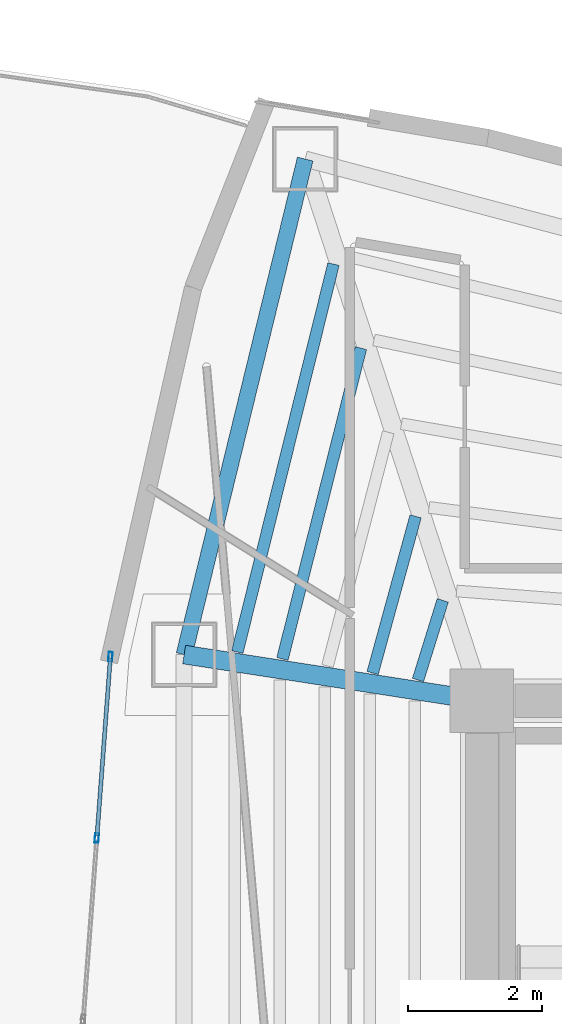
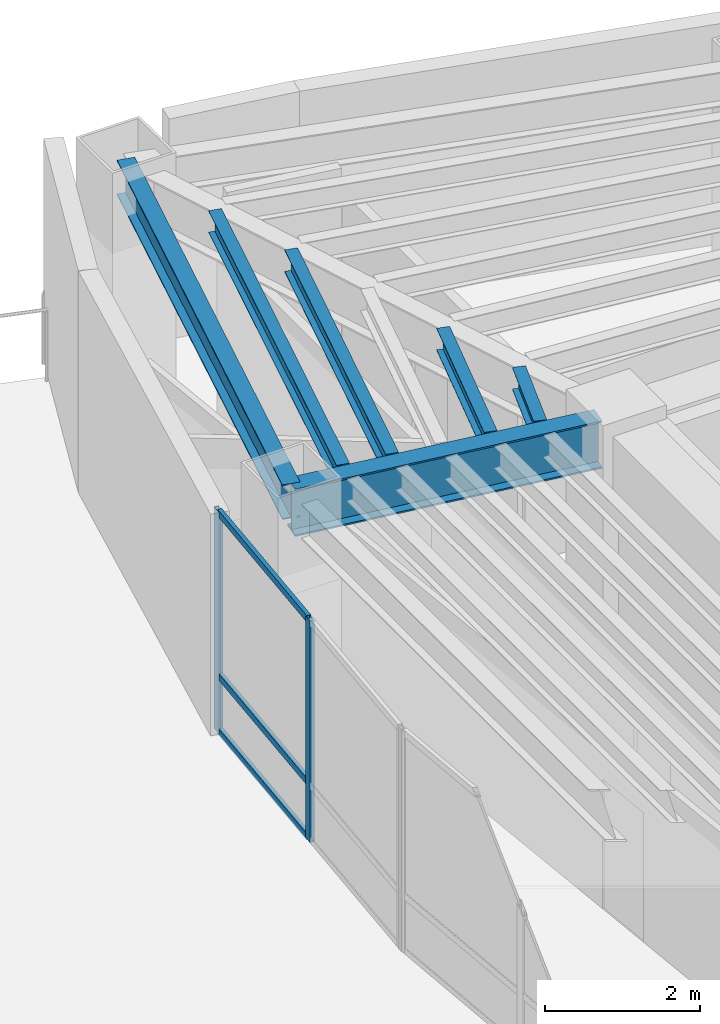
# One storey, part 6 of 17: 6 beams, 5 members, 1 element without a shape of its own.
"""IFC4 building model written with IfcOpenShell, lengths in metres."""

from ifc_helpers import new_model, si_unit, direction, frame, origin, origin_2d, place, context, subcontext, project, spatial, hollow_rectangle, i_section, extrude, material, layer, layer_set, material_profile, profile_set, type_object, element, aggregate, save


model = new_model("IFC4")

# Units and contexts
model_context = context("Model", 3, precision=1e-05, world=origin(), true_north=direction((0.0, 1.0)))
body_context = subcontext(model_context, "Body", "Model", "MODEL_VIEW")
ifc_project = project(units=[si_unit("LENGTHUNIT", "METRE"), si_unit("AREAUNIT", "SQUARE_METRE"), si_unit("VOLUMEUNIT", "CUBIC_METRE"), si_unit("PLANEANGLEUNIT", "RADIAN"), si_unit("MASSUNIT", "GRAM", prefix="KILO")], contexts=[model_context])

# Site, building, storey
site_placement = place(None, origin())
site = spatial("IfcSite", under=ifc_project, at=site_placement, CompositionType="ELEMENT")
building_placement = place(site_placement, origin())
building = spatial("IfcBuilding", under=site, at=building_placement, Name="Menara Vayukalpa", CompositionType="ELEMENT")
storey_placement = place(building_placement, frame((0.0, 0.0, 206.39990234375)))
storey = spatial("IfcBuildingStorey", under=building, at=storey_placement, Name="L52", CompositionType="ELEMENT", Elevation=206.39990234375)

# Beams
ifc_material_1 = material(Name="Steel S355", Category="steel")
ifc_material_profile_1 = material_profile(ifc_material_1, i_section(OverallWidth=0.280029296875, OverallDepth=0.75, WebThickness=0.013916015625, FlangeThickness=0.02490234375, at=origin_2d()), Name="WF 750x280x14x25")
ifc_profile_set_1 = profile_set([ifc_material_profile_1], Name="Steel S355")
beam_type_1 = type_object("IfcBeamType", Name="BM-PG4", PredefinedType="BEAM", material=ifc_profile_set_1)
beam_1_placement = place(storey_placement, frame((17.552978515625, 26.838134765625, 3.125), z_axis=(-0.988244781219, 0.152879862617, 0.0), x_axis=(-0.152879862617, -0.988244781219, 0.0)))
element("IfcBeam", 1, at=beam_1_placement, inside=storey, type_object=beam_type_1, Name="L52 Primary Radial Girder RG05", PredefinedType="BEAM", context=body_context, shape_type="SweptSolid", body=[
    extrude(i_section(OverallWidth=0.280029296875, OverallDepth=0.75, WebThickness=0.013916015625, FlangeThickness=0.02490234375, at=origin_2d()), origin(), (0.0, 0.0, 1.0), 4.259033203125),
])
ifc_material_2 = material(Name="Steel S355", Category="steel")
ifc_material_profile_2 = material_profile(ifc_material_2, i_section(OverallWidth=0.175048828125, OverallDepth=0.35009765625, WebThickness=0.007080078125, FlangeThickness=0.010986328125, at=origin_2d()), Name="WF 350x175x7x11")
ifc_profile_set_2 = profile_set([ifc_material_profile_2], Name="Steel S355")
beam_type_2 = type_object("IfcBeamType", Name="BM-SJ3", PredefinedType="JOIST", material=ifc_profile_set_2)
beam_2_placement = place(storey_placement, frame((17.212890625, 28.300537109375, 3.3251953125), z_axis=(-0.296448419226, -0.955048865105, 0.0), x_axis=(0.955048865105, -0.296448419226, 0.0)))
element("IfcBeam", 2, at=beam_2_placement, inside=storey, type_object=beam_type_2, Name="L52 Secondary Floor Joist SJ04-1", PredefinedType="JOIST", context=body_context, shape_type="SweptSolid", body=[
    extrude(i_section(OverallWidth=0.175048828125, OverallDepth=0.35009765625, WebThickness=0.007080078125, FlangeThickness=0.010986328125, at=origin_2d()), origin(), (0.0, 0.0, 1.0), 1.24853515625),
])
beam_3_placement = place(storey_placement, frame((16.80712890625, 29.5576171875, 3.3251953125), z_axis=(-0.264502665082, -0.964384954344, 0.0), x_axis=(0.964384954344, -0.264502665082, 0.0)))
element("IfcBeam", 3, at=beam_3_placement, inside=storey, type_object=beam_type_2, Name="L52 Secondary Floor Joist SJ04-2", PredefinedType="JOIST", context=body_context, shape_type="SweptSolid", body=[
    extrude(i_section(OverallWidth=0.175048828125, OverallDepth=0.35009765625, WebThickness=0.007080078125, FlangeThickness=0.010986328125, at=origin_2d()), origin(), (0.0, 0.0, 1.0), 2.430419921875),
])
beam_4_placement = place(storey_placement, frame((15.988525390625, 32.073486328125, 3.3251953125), z_axis=(-0.24483447751, -0.969564891393, 0.0), x_axis=(0.969564891393, -0.24483447751, 0.0)))
element("IfcBeam", 4, at=beam_4_placement, inside=storey, type_object=beam_type_2, Name="L52 Secondary Floor Joist SJ04-4", PredefinedType="JOIST", context=body_context, shape_type="SweptSolid", body=[
    extrude(i_section(OverallWidth=0.175048828125, OverallDepth=0.35009765625, WebThickness=0.007080078125, FlangeThickness=0.010986328125, at=origin_2d()), origin(), (0.0, 0.0, 1.0), 4.79638671875),
])
beam_5_placement = place(storey_placement, frame((15.57861328125, 33.33154296875, 3.3251953125), z_axis=(-0.240556182956, -0.970635216156, 0.0), x_axis=(0.970635216156, -0.240556182956, 0.0)))
element("IfcBeam", 5, at=beam_5_placement, inside=storey, type_object=beam_type_2, Name="L52 Secondary Floor Joist SJ04-5", PredefinedType="JOIST", context=body_context, shape_type="SweptSolid", body=[
    extrude(i_section(OverallWidth=0.175048828125, OverallDepth=0.35009765625, WebThickness=0.007080078125, FlangeThickness=0.010986328125, at=origin_2d()), origin(), (0.0, 0.0, 1.0), 5.979736328125),
])
ifc_material_3 = material(Name="Steel S355", Category="steel")
ifc_material_profile_3 = material_profile(ifc_material_3, i_section(OverallWidth=0.239990234375, OverallDepth=0.550048828125, WebThickness=0.010986328125, FlangeThickness=0.01904296875, at=origin_2d()), Name="WF 550x240x11x19")
ifc_profile_set_3 = profile_set([ifc_material_profile_3], Name="Steel S355")
beam_type_3 = type_object("IfcBeamType", Name="BM-SP2", PredefinedType="SPANDREL", material=ifc_profile_set_3)
beam_6_placement = place(storey_placement, frame((15.15478515625, 34.902587890625, 3.22509765625), z_axis=(-0.237285374413, -0.971439988414, 0.0), x_axis=(0.971439988414, -0.237285374413, 0.0)))
element("IfcBeam", 6, at=beam_6_placement, inside=storey, type_object=beam_type_3, Name="L52 Perimeter Spandrel Beam SP04", PredefinedType="SPANDREL", context=body_context, shape_type="SweptSolid", body=[
    extrude(i_section(OverallWidth=0.239990234375, OverallDepth=0.550048828125, WebThickness=0.010986328125, FlangeThickness=0.01904296875, at=origin_2d()), origin(), (0.0, 0.0, 1.0), 7.63134765625),
])

# Curtain wall, members
ifc_material_4 = material(Name="Anodised Terracotta Aluminium Alloy 6063-T6", Category="masonry")
ifc_layer = layer(ifc_material_4, 0.139892578125)
ifc_layer_set = layer_set([ifc_layer], Name="Anodised Terracotta Aluminium Alloy 6063-T6")
curtain_wall_type = type_object("IfcCurtainWallType", Name="CW-CW5", PredefinedType="USERDEFINED", material=ifc_layer_set)
curtain_wall_placement = place(storey_placement, origin())
curtain_wall = element("IfcCurtainWall", 7, at=curtain_wall_placement, inside=storey, type_object=curtain_wall_type, Name="L52 High Rise Tapered Curtain Wall CW5 10", ObjectType="UNITISED", PredefinedType="USERDEFINED")
ifc_material_5 = material(Name="Anodised Terracotta Aluminium Alloy 6063-T6", Category="masonry")
ifc_material_profile_4 = material_profile(ifc_material_5, hollow_rectangle(XDim=0.06005859375, YDim=0.139892578125, WallThickness=0.00341796875, at=origin_2d()), Name="ALU 60x140x3.5")
ifc_profile_set_4 = profile_set([ifc_material_profile_4], Name="Anodised Terracotta Aluminium Alloy 6063-T6")
member_type_1 = type_object("IfcMemberType", Name="CWM-CW5", PredefinedType="MULLION", material=ifc_profile_set_4)
member_1_placement = place(storey_placement, frame((12.24169921875, 27.459228515625, 0.0), z_axis=(0.0, 0.0, 1.0), x_axis=(0.9971991744, -0.074791754736, 0.0)))
member_1 = element("IfcMember", 8, at=member_1_placement, type_object=member_type_1, Name="CW5 mullion 1", PredefinedType="MULLION", context=body_context, shape_type="SweptSolid", body=[
    extrude(hollow_rectangle(XDim=0.06005859375, YDim=0.139892578125, WallThickness=0.00341796875, at=origin_2d()), origin(), (0.0, 0.0, 1.0), 3.5),
])
member_2_placement = place(storey_placement, frame((12.0380859375, 24.74462890625, 0.0), z_axis=(0.0, 0.0, 1.0), x_axis=(0.9971991744, -0.074791754736, 0.0)))
member_2 = element("IfcMember", 9, at=member_2_placement, type_object=member_type_1, Name="CW5 mullion 2", PredefinedType="MULLION", context=body_context, shape_type="SweptSolid", body=[
    extrude(hollow_rectangle(XDim=0.06005859375, YDim=0.139892578125, WallThickness=0.00341796875, at=origin_2d()), origin(), (0.0, 0.0, 1.0), 3.5),
])
ifc_material_6 = material(Name="Anodised Terracotta Aluminium Alloy 6063-T6", Category="masonry")
ifc_material_profile_5 = material_profile(ifc_material_6, hollow_rectangle(XDim=0.06005859375, YDim=0.10498046875, WallThickness=0.0029296875, at=origin_2d()), Name="ALU 60x105x3")
ifc_profile_set_5 = profile_set([ifc_material_profile_5], Name="Anodised Terracotta Aluminium Alloy 6063-T6")
member_type_2 = type_object("IfcMemberType", Name="CWT-CW5", PredefinedType="USERDEFINED", material=ifc_profile_set_5)
member_3_placement = place(storey_placement, frame((12.239501953125, 27.429443359375, 0.030029296875), z_axis=(-0.074824141952, -0.997196744771, 0.0), x_axis=(0.997196744771, -0.074824141952, 0.0)))
member_3 = element("IfcMember", 10, at=member_3_placement, type_object=member_type_2, Name="CW5 transom 1.1", ObjectType="TRANSOM", PredefinedType="USERDEFINED", context=body_context, shape_type="SweptSolid", body=[
    extrude(hollow_rectangle(XDim=0.06005859375, YDim=0.10498046875, WallThickness=0.0029296875, at=origin_2d()), origin(), (0.0, 0.0, 1.0), 2.66259765625),
])
member_4_placement = place(storey_placement, frame((12.239501953125, 27.429443359375, 0.900146484375), z_axis=(-0.074824141952, -0.997196744771, 0.0), x_axis=(0.997196744771, -0.074824141952, 0.0)))
member_4 = element("IfcMember", 11, at=member_4_placement, type_object=member_type_2, Name="CW5 transom 1.2", ObjectType="TRANSOM", PredefinedType="USERDEFINED", context=body_context, shape_type="SweptSolid", body=[
    extrude(hollow_rectangle(XDim=0.06005859375, YDim=0.10498046875, WallThickness=0.0029296875, at=origin_2d()), origin(), (0.0, 0.0, 1.0), 2.66259765625),
])
member_5_placement = place(storey_placement, frame((12.239501953125, 27.429443359375, 3.47021484375), z_axis=(-0.074824141952, -0.997196744771, 0.0), x_axis=(0.997196744771, -0.074824141952, 0.0)))
member_5 = element("IfcMember", 12, at=member_5_placement, type_object=member_type_2, Name="CW5 transom 1.3", ObjectType="TRANSOM", PredefinedType="USERDEFINED", context=body_context, shape_type="SweptSolid", body=[
    extrude(hollow_rectangle(XDim=0.06005859375, YDim=0.10498046875, WallThickness=0.0029296875, at=origin_2d()), origin(), (0.0, 0.0, 1.0), 2.66259765625),
])
aggregate(curtain_wall, [member_1, member_2, member_3, member_4, member_5])

save(model, "model.ifc")
